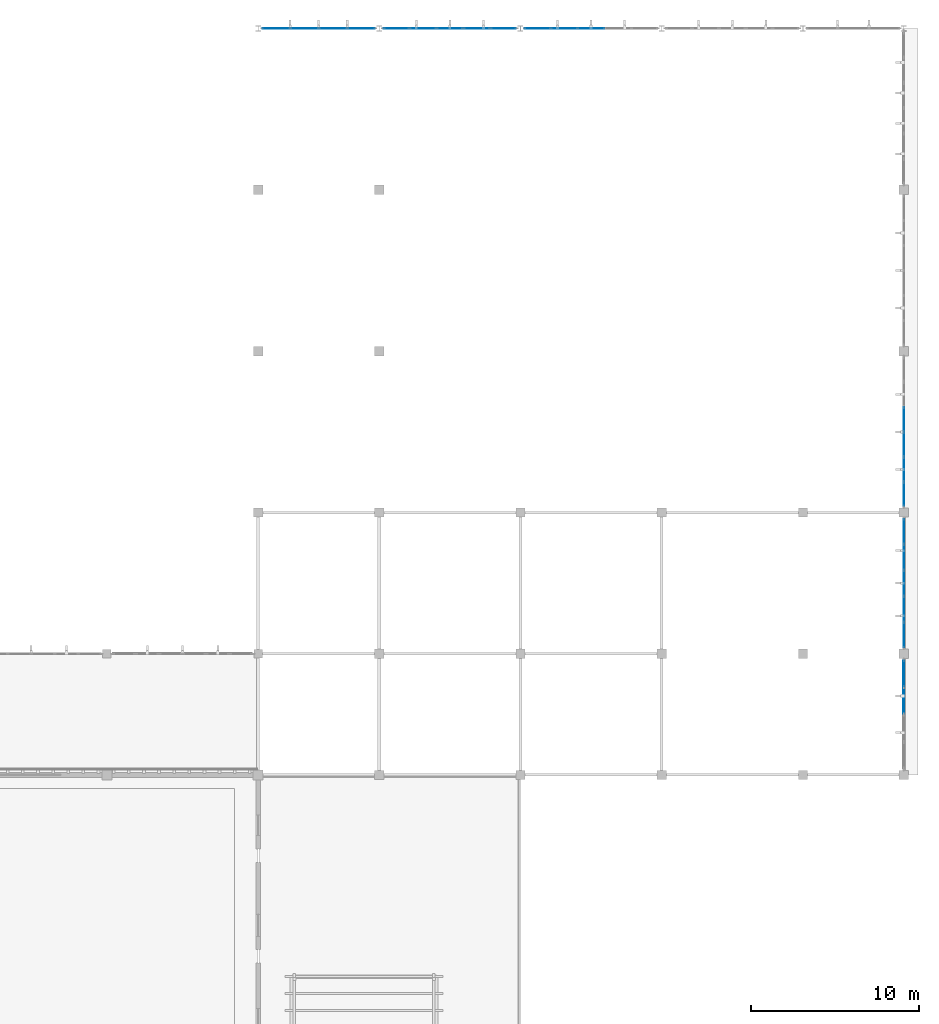
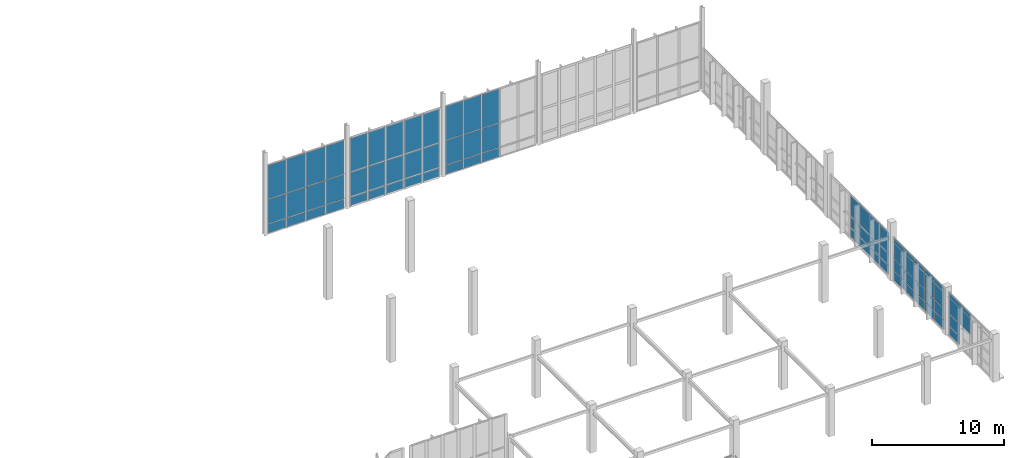
# One storey, part 39 of 67: 67 plates, 6 elements without a shape of their own.
"""IFC4 building model written with IfcOpenShell, lengths in metres."""

from ifc_helpers import new_model, si_unit, direction, frame, origin, origin_2d, place, context, subcontext, project, spatial, rectangle, extrude, material, layer, layer_set, type_object, element, aggregate, save


model = new_model("IFC4")

# Units and contexts
model_context = context("Model", 3, precision=1e-05, world=origin(), true_north=direction((0.0, 1.0)))
body_context = subcontext(model_context, "Body", "Model", "MODEL_VIEW")
ifc_project = project(units=[si_unit("LENGTHUNIT", "METRE"), si_unit("AREAUNIT", "SQUARE_METRE"), si_unit("VOLUMEUNIT", "CUBIC_METRE"), si_unit("PLANEANGLEUNIT", "RADIAN"), si_unit("MASSUNIT", "GRAM", prefix="KILO")], contexts=[model_context])

# Site, building, storey
site_placement = place(None, origin())
site = spatial("IfcSite", under=ifc_project, at=site_placement, CompositionType="ELEMENT")
building_placement = place(site_placement, origin())
building = spatial("IfcBuilding", under=site, at=building_placement, Name="Tizgana Railside Sports Hall", CompositionType="ELEMENT")
storey_placement = place(building_placement, frame((0.0, 0.0, 12.0)))
storey = spatial("IfcBuildingStorey", under=building, at=storey_placement, Name="L02", CompositionType="ELEMENT", Elevation=12.0)

# Curtain wall, plates
ifc_material_1 = material(Name="Anodised aluminium and glass", Category="aluminium")
curtain_wall_type_1 = type_object("IfcCurtainWallType", Name="Unitised Curtain Wall Foyer 1300", PredefinedType="NOTDEFINED", material=ifc_material_1)
curtain_wall_1_placement = place(storey_placement, origin())
curtain_wall_1 = element("IfcCurtainWall", 1, at=curtain_wall_1_placement, inside=storey, type_object=curtain_wall_type_1, Name="L02 Curtain Wall CW-0049", PredefinedType="NOTDEFINED")
ifc_material_2 = material(Name="Double low-E laminated glass", Category="glass")
ifc_layer_1 = layer(ifc_material_2, 0.033935546875, Name="Double low-E laminated glass")
ifc_layer_set_1 = layer_set([ifc_layer_1], Name="Double low-E laminated glass")
plate_type_1 = type_object("IfcPlateType", Name="Acoustic Laminated Glazing Panel 34", PredefinedType="CURTAIN_PANEL", material=ifc_layer_set_1)
plate_1_placement = place(storey_placement, frame((150.4189453125, 117.60009765625, 0.06005859375), z_axis=(0.0, 0.0, 1.0), x_axis=(1.0, 0.0, 0.0)))
plate_1 = element("IfcPlate", 2, at=plate_1_placement, type_object=plate_type_1, Name="CW-02 panel 1.1", PredefinedType="CURTAIN_PANEL", context=body_context, shape_type="SweptSolid", body=[
    extrude(rectangle(XDim=1.508056640625, YDim=0.033935546875, at=origin_2d()), origin(), (0.0, 0.0, 1.0), 0.81005859375),
])
plate_2_placement = place(storey_placement, frame((150.4189453125, 117.60009765625, 0.93017578125), z_axis=(0.0, 0.0, 1.0), x_axis=(1.0, 0.0, 0.0)))
plate_2 = element("IfcPlate", 3, at=plate_2_placement, type_object=plate_type_1, Name="CW-02 panel 1.2", PredefinedType="CURTAIN_PANEL", context=body_context, shape_type="SweptSolid", body=[
    extrude(rectangle(XDim=1.508056640625, YDim=0.033935546875, at=origin_2d()), origin(), (0.0, 0.0, 1.0), 2.239990234375),
])
plate_3_placement = place(storey_placement, frame((150.4189453125, 117.60009765625, 3.22998046875), z_axis=(0.0, 0.0, 1.0), x_axis=(1.0, 0.0, 0.0)))
plate_3 = element("IfcPlate", 4, at=plate_3_placement, type_object=plate_type_1, Name="CW-02 panel 1.3", PredefinedType="CURTAIN_PANEL", context=body_context, shape_type="SweptSolid", body=[
    extrude(rectangle(XDim=1.508056640625, YDim=0.033935546875, at=origin_2d()), origin(), (0.0, 0.0, 1.0), 3.110107421875),
])
plate_4_placement = place(storey_placement, frame((152.001953125, 117.60009765625, 0.06005859375), z_axis=(0.0, 0.0, 1.0), x_axis=(1.0, 0.0, 0.0)))
plate_4 = element("IfcPlate", 5, at=plate_4_placement, type_object=plate_type_1, Name="CW-02 panel 2.1", PredefinedType="CURTAIN_PANEL", context=body_context, shape_type="SweptSolid", body=[
    extrude(rectangle(XDim=1.5380859375, YDim=0.033935546875, at=origin_2d()), origin(), (0.0, 0.0, 1.0), 0.81005859375),
])
plate_5_placement = place(storey_placement, frame((152.001953125, 117.60009765625, 0.93017578125), z_axis=(0.0, 0.0, 1.0), x_axis=(1.0, 0.0, 0.0)))
plate_5 = element("IfcPlate", 6, at=plate_5_placement, type_object=plate_type_1, Name="CW-02 panel 2.2", PredefinedType="CURTAIN_PANEL", context=body_context, shape_type="SweptSolid", body=[
    extrude(rectangle(XDim=1.5380859375, YDim=0.033935546875, at=origin_2d()), origin(), (0.0, 0.0, 1.0), 2.239990234375),
])
plate_6_placement = place(storey_placement, frame((152.001953125, 117.60009765625, 3.22998046875), z_axis=(0.0, 0.0, 1.0), x_axis=(1.0, 0.0, 0.0)))
plate_6 = element("IfcPlate", 7, at=plate_6_placement, type_object=plate_type_1, Name="CW-02 panel 2.3", PredefinedType="CURTAIN_PANEL", context=body_context, shape_type="SweptSolid", body=[
    extrude(rectangle(XDim=1.5380859375, YDim=0.033935546875, at=origin_2d()), origin(), (0.0, 0.0, 1.0), 3.110107421875),
])
plate_7_placement = place(storey_placement, frame((153.60009765625, 117.60009765625, 0.06005859375), z_axis=(0.0, 0.0, 1.0), x_axis=(1.0, 0.0, 0.0)))
plate_7 = element("IfcPlate", 8, at=plate_7_placement, type_object=plate_type_1, Name="CW-02 panel 3.1", PredefinedType="CURTAIN_PANEL", context=body_context, shape_type="SweptSolid", body=[
    extrude(rectangle(XDim=1.5380859375, YDim=0.033935546875, at=origin_2d()), origin(), (0.0, 0.0, 1.0), 0.81005859375),
])
plate_8_placement = place(storey_placement, frame((153.60009765625, 117.60009765625, 0.93017578125), z_axis=(0.0, 0.0, 1.0), x_axis=(1.0, 0.0, 0.0)))
plate_8 = element("IfcPlate", 9, at=plate_8_placement, type_object=plate_type_1, Name="CW-02 panel 3.2", PredefinedType="CURTAIN_PANEL", context=body_context, shape_type="SweptSolid", body=[
    extrude(rectangle(XDim=1.5380859375, YDim=0.033935546875, at=origin_2d()), origin(), (0.0, 0.0, 1.0), 2.239990234375),
])
plate_9_placement = place(storey_placement, frame((153.60009765625, 117.60009765625, 3.22998046875), z_axis=(0.0, 0.0, 1.0), x_axis=(1.0, 0.0, 0.0)))
plate_9 = element("IfcPlate", 10, at=plate_9_placement, type_object=plate_type_1, Name="CW-02 panel 3.3", PredefinedType="CURTAIN_PANEL", context=body_context, shape_type="SweptSolid", body=[
    extrude(rectangle(XDim=1.5380859375, YDim=0.033935546875, at=origin_2d()), origin(), (0.0, 0.0, 1.0), 3.110107421875),
])
aggregate(curtain_wall_1, [plate_1, plate_2, plate_3, plate_4, plate_5, plate_6, plate_7, plate_8, plate_9])

curtain_wall_type_2 = type_object("IfcCurtainWallType", Name="Unitised Curtain Wall Passage 1800", PredefinedType="NOTDEFINED", material=ifc_material_1)
curtain_wall_2_placement = place(storey_placement, origin())
curtain_wall_2 = element("IfcCurtainWall", 11, at=curtain_wall_2_placement, inside=storey, type_object=curtain_wall_type_2, Name="L02 Curtain Wall CW-0061", PredefinedType="NOTDEFINED")
plate_10_placement = place(storey_placement, frame((172.199951171875, 81.51904296875, 0.06005859375), z_axis=(0.0, 0.0, 1.0), x_axis=(0.0, 1.0, 0.0)))
plate_10 = element("IfcPlate", 12, at=plate_10_placement, type_object=plate_type_1, Name="CW-06 panel 1.1", PredefinedType="CURTAIN_PANEL", context=body_context, shape_type="SweptSolid", body=[
    extrude(rectangle(XDim=1.4580078125, YDim=0.033935546875, at=origin_2d()), origin(), (0.0, 0.0, 1.0), 0.81005859375),
])
plate_11_placement = place(storey_placement, frame((172.199951171875, 81.51904296875, 0.929931640625), z_axis=(0.0, 0.0, 1.0), x_axis=(0.0, 1.0, 0.0)))
plate_11 = element("IfcPlate", 13, at=plate_11_placement, type_object=plate_type_1, Name="CW-06 panel 1.2", PredefinedType="CURTAIN_PANEL", context=body_context, shape_type="SweptSolid", body=[
    extrude(rectangle(XDim=1.4580078125, YDim=0.033935546875, at=origin_2d()), origin(), (0.0, 0.0, 1.0), 1.0400390625),
])
plate_12_placement = place(storey_placement, frame((172.199951171875, 81.51904296875, 2.0302734375), z_axis=(0.0, 0.0, 1.0), x_axis=(0.0, 1.0, 0.0)))
plate_12 = element("IfcPlate", 14, at=plate_12_placement, type_object=plate_type_1, Name="CW-06 panel 1.3", PredefinedType="CURTAIN_PANEL", context=body_context, shape_type="SweptSolid", body=[
    extrude(rectangle(XDim=1.4580078125, YDim=0.033935546875, at=origin_2d()), origin(), (0.0, 0.0, 1.0), 1.909912109375),
])
plate_13_placement = place(storey_placement, frame((172.199951171875, 83.052001953125, 0.06005859375), z_axis=(0.0, 0.0, 1.0), x_axis=(0.0, 1.0, 0.0)))
plate_13 = element("IfcPlate", 15, at=plate_13_placement, type_object=plate_type_1, Name="CW-06 panel 2.1", PredefinedType="CURTAIN_PANEL", context=body_context, shape_type="SweptSolid", body=[
    extrude(rectangle(XDim=1.488037109375, YDim=0.033935546875, at=origin_2d()), origin(), (0.0, 0.0, 1.0), 0.81005859375),
])
plate_14_placement = place(storey_placement, frame((172.199951171875, 83.052001953125, 0.929931640625), z_axis=(0.0, 0.0, 1.0), x_axis=(0.0, 1.0, 0.0)))
plate_14 = element("IfcPlate", 16, at=plate_14_placement, type_object=plate_type_1, Name="CW-06 panel 2.2", PredefinedType="CURTAIN_PANEL", context=body_context, shape_type="SweptSolid", body=[
    extrude(rectangle(XDim=1.488037109375, YDim=0.033935546875, at=origin_2d()), origin(), (0.0, 0.0, 1.0), 1.0400390625),
])
plate_15_placement = place(storey_placement, frame((172.199951171875, 83.052001953125, 2.0302734375), z_axis=(0.0, 0.0, 1.0), x_axis=(0.0, 1.0, 0.0)))
plate_15 = element("IfcPlate", 17, at=plate_15_placement, type_object=plate_type_1, Name="CW-06 panel 2.3", PredefinedType="CURTAIN_PANEL", context=body_context, shape_type="SweptSolid", body=[
    extrude(rectangle(XDim=1.488037109375, YDim=0.033935546875, at=origin_2d()), origin(), (0.0, 0.0, 1.0), 1.909912109375),
])
plate_16_placement = place(storey_placement, frame((172.199951171875, 84.60009765625, 0.06005859375), z_axis=(0.0, 0.0, 1.0), x_axis=(0.0, 1.0, 0.0)))
plate_16 = element("IfcPlate", 18, at=plate_16_placement, type_object=plate_type_1, Name="CW-06 panel 3.1", PredefinedType="CURTAIN_PANEL", context=body_context, shape_type="SweptSolid", body=[
    extrude(rectangle(XDim=1.488037109375, YDim=0.033935546875, at=origin_2d()), origin(), (0.0, 0.0, 1.0), 0.81005859375),
])
plate_17_placement = place(storey_placement, frame((172.199951171875, 84.60009765625, 0.929931640625), z_axis=(0.0, 0.0, 1.0), x_axis=(0.0, 1.0, 0.0)))
plate_17 = element("IfcPlate", 19, at=plate_17_placement, type_object=plate_type_1, Name="CW-06 panel 3.2", PredefinedType="CURTAIN_PANEL", context=body_context, shape_type="SweptSolid", body=[
    extrude(rectangle(XDim=1.488037109375, YDim=0.033935546875, at=origin_2d()), origin(), (0.0, 0.0, 1.0), 1.0400390625),
])
plate_18_placement = place(storey_placement, frame((172.199951171875, 84.60009765625, 2.0302734375), z_axis=(0.0, 0.0, 1.0), x_axis=(0.0, 1.0, 0.0)))
plate_18 = element("IfcPlate", 20, at=plate_18_placement, type_object=plate_type_1, Name="CW-06 panel 3.3", PredefinedType="CURTAIN_PANEL", context=body_context, shape_type="SweptSolid", body=[
    extrude(rectangle(XDim=1.488037109375, YDim=0.033935546875, at=origin_2d()), origin(), (0.0, 0.0, 1.0), 1.909912109375),
])
plate_19_placement = place(storey_placement, frame((172.199951171875, 86.14794921875, 0.06005859375), z_axis=(0.0, 0.0, 1.0), x_axis=(0.0, 1.0, 0.0)))
plate_19 = element("IfcPlate", 21, at=plate_19_placement, type_object=plate_type_1, Name="CW-06 panel 4.1", PredefinedType="CURTAIN_PANEL", context=body_context, shape_type="SweptSolid", body=[
    extrude(rectangle(XDim=1.488037109375, YDim=0.033935546875, at=origin_2d()), origin(), (0.0, 0.0, 1.0), 0.81005859375),
])
plate_20_placement = place(storey_placement, frame((172.199951171875, 86.14794921875, 0.929931640625), z_axis=(0.0, 0.0, 1.0), x_axis=(0.0, 1.0, 0.0)))
plate_20 = element("IfcPlate", 22, at=plate_20_placement, type_object=plate_type_1, Name="CW-06 panel 4.2", PredefinedType="CURTAIN_PANEL", context=body_context, shape_type="SweptSolid", body=[
    extrude(rectangle(XDim=1.488037109375, YDim=0.033935546875, at=origin_2d()), origin(), (0.0, 0.0, 1.0), 1.0400390625),
])
plate_21_placement = place(storey_placement, frame((172.199951171875, 86.14794921875, 2.0302734375), z_axis=(0.0, 0.0, 1.0), x_axis=(0.0, 1.0, 0.0)))
plate_21 = element("IfcPlate", 23, at=plate_21_placement, type_object=plate_type_1, Name="CW-06 panel 4.3", PredefinedType="CURTAIN_PANEL", context=body_context, shape_type="SweptSolid", body=[
    extrude(rectangle(XDim=1.488037109375, YDim=0.033935546875, at=origin_2d()), origin(), (0.0, 0.0, 1.0), 1.909912109375),
])
plate_22_placement = place(storey_placement, frame((172.199951171875, 87.680908203125, 0.06005859375), z_axis=(0.0, 0.0, 1.0), x_axis=(0.0, 1.0, 0.0)))
plate_22 = element("IfcPlate", 24, at=plate_22_placement, type_object=plate_type_1, Name="CW-06 panel 5.1", PredefinedType="CURTAIN_PANEL", context=body_context, shape_type="SweptSolid", body=[
    extrude(rectangle(XDim=1.4580078125, YDim=0.033935546875, at=origin_2d()), origin(), (0.0, 0.0, 1.0), 0.81005859375),
])
plate_23_placement = place(storey_placement, frame((172.199951171875, 87.680908203125, 0.929931640625), z_axis=(0.0, 0.0, 1.0), x_axis=(0.0, 1.0, 0.0)))
plate_23 = element("IfcPlate", 25, at=plate_23_placement, type_object=plate_type_1, Name="CW-06 panel 5.2", PredefinedType="CURTAIN_PANEL", context=body_context, shape_type="SweptSolid", body=[
    extrude(rectangle(XDim=1.4580078125, YDim=0.033935546875, at=origin_2d()), origin(), (0.0, 0.0, 1.0), 1.0400390625),
])
plate_24_placement = place(storey_placement, frame((172.199951171875, 87.680908203125, 2.0302734375), z_axis=(0.0, 0.0, 1.0), x_axis=(0.0, 1.0, 0.0)))
plate_24 = element("IfcPlate", 26, at=plate_24_placement, type_object=plate_type_1, Name="CW-06 panel 5.3", PredefinedType="CURTAIN_PANEL", context=body_context, shape_type="SweptSolid", body=[
    extrude(rectangle(XDim=1.4580078125, YDim=0.033935546875, at=origin_2d()), origin(), (0.0, 0.0, 1.0), 1.909912109375),
])
aggregate(curtain_wall_2, [plate_10, plate_11, plate_12, plate_13, plate_14, plate_15, plate_16, plate_17, plate_18, plate_19, plate_20, plate_21, plate_22, plate_23, plate_24])

curtain_wall_type_3 = type_object("IfcCurtainWallType", Name="Unitised Curtain Wall WestHall 1560", PredefinedType="NOTDEFINED", material=ifc_material_1)
curtain_wall_3_placement = place(storey_placement, origin())
curtain_wall_3 = element("IfcCurtainWall", 27, at=curtain_wall_3_placement, inside=storey, type_object=curtain_wall_type_3, Name="L02 Curtain Wall CW-0046", PredefinedType="NOTDEFINED")
ifc_layer_2 = layer(ifc_material_2, 0.0400390625, Name="Double low-E laminated glass")
ifc_layer_set_2 = layer_set([ifc_layer_2], Name="Double low-E laminated glass")
plate_type_2 = type_object("IfcPlateType", Name="High-Span Tempered Glazing Panel 40", PredefinedType="CURTAIN_PANEL", material=ifc_layer_set_2)
plate_25_placement = place(storey_placement, frame((142.021484375, 117.60009765625, 0.070068359375), z_axis=(0.0, 0.0, 1.0), x_axis=(1.0, 0.0, 0.0)))
plate_25 = element("IfcPlate", 28, at=plate_25_placement, type_object=plate_type_2, Name="CW-07 panel 1.1", PredefinedType="CURTAIN_PANEL", context=body_context, shape_type="SweptSolid", body=[
    extrude(rectangle(XDim=1.492919921875, YDim=0.0400390625, at=origin_2d()), origin(), (0.0, 0.0, 1.0), 0.794921875),
])
plate_26_placement = place(storey_placement, frame((142.021484375, 117.60009765625, 0.93505859375), z_axis=(0.0, 0.0, 1.0), x_axis=(1.0, 0.0, 0.0)))
plate_26 = element("IfcPlate", 29, at=plate_26_placement, type_object=plate_type_2, Name="CW-07 panel 1.2", PredefinedType="CURTAIN_PANEL", context=body_context, shape_type="SweptSolid", body=[
    extrude(rectangle(XDim=1.492919921875, YDim=0.0400390625, at=origin_2d()), origin(), (0.0, 0.0, 1.0), 2.22998046875),
])
plate_27_placement = place(storey_placement, frame((142.021484375, 117.60009765625, 3.23486328125), z_axis=(0.0, 0.0, 1.0), x_axis=(1.0, 0.0, 0.0)))
plate_27 = element("IfcPlate", 30, at=plate_27_placement, type_object=plate_type_2, Name="CW-07 panel 1.3", PredefinedType="CURTAIN_PANEL", context=body_context, shape_type="SweptSolid", body=[
    extrude(rectangle(XDim=1.492919921875, YDim=0.0400390625, at=origin_2d()), origin(), (0.0, 0.0, 1.0), 3.094970703125),
])
plate_28_placement = place(storey_placement, frame((143.60205078125, 117.60009765625, 0.070068359375), z_axis=(0.0, 0.0, 1.0), x_axis=(1.0, 0.0, 0.0)))
plate_28 = element("IfcPlate", 31, at=plate_28_placement, type_object=plate_type_2, Name="CW-07 panel 2.1", PredefinedType="CURTAIN_PANEL", context=body_context, shape_type="SweptSolid", body=[
    extrude(rectangle(XDim=1.528076171875, YDim=0.0400390625, at=origin_2d()), origin(), (0.0, 0.0, 1.0), 0.794921875),
])
plate_29_placement = place(storey_placement, frame((143.60205078125, 117.60009765625, 0.93505859375), z_axis=(0.0, 0.0, 1.0), x_axis=(1.0, 0.0, 0.0)))
plate_29 = element("IfcPlate", 32, at=plate_29_placement, type_object=plate_type_2, Name="CW-07 panel 2.2", PredefinedType="CURTAIN_PANEL", context=body_context, shape_type="SweptSolid", body=[
    extrude(rectangle(XDim=1.528076171875, YDim=0.0400390625, at=origin_2d()), origin(), (0.0, 0.0, 1.0), 2.22998046875),
])
plate_30_placement = place(storey_placement, frame((143.60205078125, 117.60009765625, 3.23486328125), z_axis=(0.0, 0.0, 1.0), x_axis=(1.0, 0.0, 0.0)))
plate_30 = element("IfcPlate", 33, at=plate_30_placement, type_object=plate_type_2, Name="CW-07 panel 2.3", PredefinedType="CURTAIN_PANEL", context=body_context, shape_type="SweptSolid", body=[
    extrude(rectangle(XDim=1.528076171875, YDim=0.0400390625, at=origin_2d()), origin(), (0.0, 0.0, 1.0), 3.094970703125),
])
plate_31_placement = place(storey_placement, frame((145.199951171875, 117.60009765625, 0.070068359375), z_axis=(0.0, 0.0, 1.0), x_axis=(1.0, 0.0, 0.0)))
plate_31 = element("IfcPlate", 34, at=plate_31_placement, type_object=plate_type_2, Name="CW-07 panel 3.1", PredefinedType="CURTAIN_PANEL", context=body_context, shape_type="SweptSolid", body=[
    extrude(rectangle(XDim=1.528076171875, YDim=0.0400390625, at=origin_2d()), origin(), (0.0, 0.0, 1.0), 0.794921875),
])
plate_32_placement = place(storey_placement, frame((145.199951171875, 117.60009765625, 0.93505859375), z_axis=(0.0, 0.0, 1.0), x_axis=(1.0, 0.0, 0.0)))
plate_32 = element("IfcPlate", 35, at=plate_32_placement, type_object=plate_type_2, Name="CW-07 panel 3.2", PredefinedType="CURTAIN_PANEL", context=body_context, shape_type="SweptSolid", body=[
    extrude(rectangle(XDim=1.528076171875, YDim=0.0400390625, at=origin_2d()), origin(), (0.0, 0.0, 1.0), 2.22998046875),
])
plate_33_placement = place(storey_placement, frame((145.199951171875, 117.60009765625, 3.23486328125), z_axis=(0.0, 0.0, 1.0), x_axis=(1.0, 0.0, 0.0)))
plate_33 = element("IfcPlate", 36, at=plate_33_placement, type_object=plate_type_2, Name="CW-07 panel 3.3", PredefinedType="CURTAIN_PANEL", context=body_context, shape_type="SweptSolid", body=[
    extrude(rectangle(XDim=1.528076171875, YDim=0.0400390625, at=origin_2d()), origin(), (0.0, 0.0, 1.0), 3.094970703125),
])
plate_34_placement = place(storey_placement, frame((146.798095703125, 117.60009765625, 0.070068359375), z_axis=(0.0, 0.0, 1.0), x_axis=(1.0, 0.0, 0.0)))
plate_34 = element("IfcPlate", 37, at=plate_34_placement, type_object=plate_type_2, Name="CW-07 panel 4.1", PredefinedType="CURTAIN_PANEL", context=body_context, shape_type="SweptSolid", body=[
    extrude(rectangle(XDim=1.528076171875, YDim=0.0400390625, at=origin_2d()), origin(), (0.0, 0.0, 1.0), 0.794921875),
])
plate_35_placement = place(storey_placement, frame((146.798095703125, 117.60009765625, 0.93505859375), z_axis=(0.0, 0.0, 1.0), x_axis=(1.0, 0.0, 0.0)))
plate_35 = element("IfcPlate", 38, at=plate_35_placement, type_object=plate_type_2, Name="CW-07 panel 4.2", PredefinedType="CURTAIN_PANEL", context=body_context, shape_type="SweptSolid", body=[
    extrude(rectangle(XDim=1.528076171875, YDim=0.0400390625, at=origin_2d()), origin(), (0.0, 0.0, 1.0), 2.22998046875),
])
plate_36_placement = place(storey_placement, frame((146.798095703125, 117.60009765625, 3.23486328125), z_axis=(0.0, 0.0, 1.0), x_axis=(1.0, 0.0, 0.0)))
plate_36 = element("IfcPlate", 39, at=plate_36_placement, type_object=plate_type_2, Name="CW-07 panel 4.3", PredefinedType="CURTAIN_PANEL", context=body_context, shape_type="SweptSolid", body=[
    extrude(rectangle(XDim=1.528076171875, YDim=0.0400390625, at=origin_2d()), origin(), (0.0, 0.0, 1.0), 3.094970703125),
])
plate_37_placement = place(storey_placement, frame((148.37841796875, 117.60009765625, 0.070068359375), z_axis=(0.0, 0.0, 1.0), x_axis=(1.0, 0.0, 0.0)))
plate_37 = element("IfcPlate", 40, at=plate_37_placement, type_object=plate_type_2, Name="CW-07 panel 5.1", PredefinedType="CURTAIN_PANEL", context=body_context, shape_type="SweptSolid", body=[
    extrude(rectangle(XDim=1.492919921875, YDim=0.0400390625, at=origin_2d()), origin(), (0.0, 0.0, 1.0), 0.794921875),
])
plate_38_placement = place(storey_placement, frame((148.37841796875, 117.60009765625, 0.93505859375), z_axis=(0.0, 0.0, 1.0), x_axis=(1.0, 0.0, 0.0)))
plate_38 = element("IfcPlate", 41, at=plate_38_placement, type_object=plate_type_2, Name="CW-07 panel 5.2", PredefinedType="CURTAIN_PANEL", context=body_context, shape_type="SweptSolid", body=[
    extrude(rectangle(XDim=1.492919921875, YDim=0.0400390625, at=origin_2d()), origin(), (0.0, 0.0, 1.0), 2.22998046875),
])
plate_39_placement = place(storey_placement, frame((148.37841796875, 117.60009765625, 3.23486328125), z_axis=(0.0, 0.0, 1.0), x_axis=(1.0, 0.0, 0.0)))
plate_39 = element("IfcPlate", 42, at=plate_39_placement, type_object=plate_type_2, Name="CW-07 panel 5.3", PredefinedType="CURTAIN_PANEL", context=body_context, shape_type="SweptSolid", body=[
    extrude(rectangle(XDim=1.492919921875, YDim=0.0400390625, at=origin_2d()), origin(), (0.0, 0.0, 1.0), 3.094970703125),
])
aggregate(curtain_wall_3, [plate_25, plate_26, plate_27, plate_28, plate_29, plate_30, plate_31, plate_32, plate_33, plate_34, plate_35, plate_36, plate_37, plate_38, plate_39])

curtain_wall_type_4 = type_object("IfcCurtainWallType", Name="Unitised Curtain Wall Studio 1400", PredefinedType="NOTDEFINED", material=ifc_material_1)
curtain_wall_4_placement = place(storey_placement, origin())
curtain_wall_4 = element("IfcCurtainWall", 43, at=curtain_wall_4_placement, inside=storey, type_object=curtain_wall_type_4, Name="L02 Curtain Wall CW-0058", PredefinedType="NOTDEFINED")
plate_40_placement = place(storey_placement, frame((172.199951171875, 77.617431640625, 2.034912109375), z_axis=(0.0, 0.0, 1.0), x_axis=(0.0, 1.0, 0.0)))
plate_40 = element("IfcPlate", 44, at=plate_40_placement, type_object=plate_type_2, Name="CW-03 panel 3.3", PredefinedType="CURTAIN_PANEL", context=body_context, shape_type="SweptSolid", body=[
    extrude(rectangle(XDim=1.56494140625, YDim=0.0400390625, at=origin_2d()), origin(), (0.0, 0.0, 1.0), 1.89501953125),
])
plate_41_placement = place(storey_placement, frame((172.199951171875, 79.235107421875, 0.070068359375), z_axis=(0.0, 0.0, 1.0), x_axis=(0.0, 1.0, 0.0)))
plate_41 = element("IfcPlate", 45, at=plate_41_placement, type_object=plate_type_2, Name="CW-03 panel 4.1", PredefinedType="CURTAIN_PANEL", context=body_context, shape_type="SweptSolid", body=[
    extrude(rectangle(XDim=1.530029296875, YDim=0.0400390625, at=origin_2d()), origin(), (0.0, 0.0, 1.0), 0.794921875),
])
plate_42_placement = place(storey_placement, frame((172.199951171875, 79.235107421875, 0.93505859375), z_axis=(0.0, 0.0, 1.0), x_axis=(0.0, 1.0, 0.0)))
plate_42 = element("IfcPlate", 46, at=plate_42_placement, type_object=plate_type_2, Name="CW-03 panel 4.2", PredefinedType="CURTAIN_PANEL", context=body_context, shape_type="SweptSolid", body=[
    extrude(rectangle(XDim=1.530029296875, YDim=0.0400390625, at=origin_2d()), origin(), (0.0, 0.0, 1.0), 1.030029296875),
])
plate_43_placement = place(storey_placement, frame((172.199951171875, 79.235107421875, 2.034912109375), z_axis=(0.0, 0.0, 1.0), x_axis=(0.0, 1.0, 0.0)))
plate_43 = element("IfcPlate", 47, at=plate_43_placement, type_object=plate_type_2, Name="CW-03 panel 4.3", PredefinedType="CURTAIN_PANEL", context=body_context, shape_type="SweptSolid", body=[
    extrude(rectangle(XDim=1.530029296875, YDim=0.0400390625, at=origin_2d()), origin(), (0.0, 0.0, 1.0), 1.89501953125),
])
aggregate(curtain_wall_4, [plate_40, plate_41, plate_42, plate_43])

curtain_wall_type_5 = type_object("IfcCurtainWallType", Name="Unitised Curtain Wall Climbing 1600", PredefinedType="NOTDEFINED", material=ifc_material_1)
curtain_wall_5_placement = place(storey_placement, origin())
curtain_wall_5 = element("IfcCurtainWall", 48, at=curtain_wall_5_placement, inside=storey, type_object=curtain_wall_type_5, Name="L02 Curtain Wall CW-0043", PredefinedType="NOTDEFINED")
ifc_layer_3 = layer(ifc_material_2, 0.031982421875, Name="Double low-E laminated glass")
ifc_layer_set_3 = layer_set([ifc_layer_3], Name="Double low-E laminated glass")
plate_type_3 = type_object("IfcPlateType", Name="North-Light Clerestory Glazing Panel 32", PredefinedType="CURTAIN_PANEL", material=ifc_layer_set_3)
plate_44_placement = place(storey_placement, frame((134.86865234375, 117.60009765625, 0.06005859375), z_axis=(0.0, 0.0, 1.0), x_axis=(1.0, 0.0, 0.0)))
plate_44 = element("IfcPlate", 49, at=plate_44_placement, type_object=plate_type_3, Name="CW-04 panel 1.1", PredefinedType="CURTAIN_PANEL", context=body_context, shape_type="SweptSolid", body=[
    extrude(rectangle(XDim=1.607421875, YDim=0.031982421875, at=origin_2d()), origin(), (0.0, 0.0, 1.0), 0.81005859375),
])
plate_45_placement = place(storey_placement, frame((134.86865234375, 117.60009765625, 0.93017578125), z_axis=(0.0, 0.0, 1.0), x_axis=(1.0, 0.0, 0.0)))
plate_45 = element("IfcPlate", 50, at=plate_45_placement, type_object=plate_type_3, Name="CW-04 panel 1.2", PredefinedType="CURTAIN_PANEL", context=body_context, shape_type="SweptSolid", body=[
    extrude(rectangle(XDim=1.607421875, YDim=0.031982421875, at=origin_2d()), origin(), (0.0, 0.0, 1.0), 2.239990234375),
])
plate_46_placement = place(storey_placement, frame((134.86865234375, 117.60009765625, 3.22998046875), z_axis=(0.0, 0.0, 1.0), x_axis=(1.0, 0.0, 0.0)))
plate_46 = element("IfcPlate", 51, at=plate_46_placement, type_object=plate_type_3, Name="CW-04 panel 1.3", PredefinedType="CURTAIN_PANEL", context=body_context, shape_type="SweptSolid", body=[
    extrude(rectangle(XDim=1.607421875, YDim=0.031982421875, at=origin_2d()), origin(), (0.0, 0.0, 1.0), 3.110107421875),
])
plate_47_placement = place(storey_placement, frame((136.55126953125, 117.60009765625, 0.06005859375), z_axis=(0.0, 0.0, 1.0), x_axis=(1.0, 0.0, 0.0)))
plate_47 = element("IfcPlate", 52, at=plate_47_placement, type_object=plate_type_3, Name="CW-04 panel 2.1", PredefinedType="CURTAIN_PANEL", context=body_context, shape_type="SweptSolid", body=[
    extrude(rectangle(XDim=1.637451171875, YDim=0.031982421875, at=origin_2d()), origin(), (0.0, 0.0, 1.0), 0.81005859375),
])
plate_48_placement = place(storey_placement, frame((136.55126953125, 117.60009765625, 0.93017578125), z_axis=(0.0, 0.0, 1.0), x_axis=(1.0, 0.0, 0.0)))
plate_48 = element("IfcPlate", 53, at=plate_48_placement, type_object=plate_type_3, Name="CW-04 panel 2.2", PredefinedType="CURTAIN_PANEL", context=body_context, shape_type="SweptSolid", body=[
    extrude(rectangle(XDim=1.637451171875, YDim=0.031982421875, at=origin_2d()), origin(), (0.0, 0.0, 1.0), 2.239990234375),
])
plate_49_placement = place(storey_placement, frame((136.55126953125, 117.60009765625, 3.22998046875), z_axis=(0.0, 0.0, 1.0), x_axis=(1.0, 0.0, 0.0)))
plate_49 = element("IfcPlate", 54, at=plate_49_placement, type_object=plate_type_3, Name="CW-04 panel 2.3", PredefinedType="CURTAIN_PANEL", context=body_context, shape_type="SweptSolid", body=[
    extrude(rectangle(XDim=1.637451171875, YDim=0.031982421875, at=origin_2d()), origin(), (0.0, 0.0, 1.0), 3.110107421875),
])
plate_50_placement = place(storey_placement, frame((138.248779296875, 117.60009765625, 0.06005859375), z_axis=(0.0, 0.0, 1.0), x_axis=(1.0, 0.0, 0.0)))
plate_50 = element("IfcPlate", 55, at=plate_50_placement, type_object=plate_type_3, Name="CW-04 panel 3.1", PredefinedType="CURTAIN_PANEL", context=body_context, shape_type="SweptSolid", body=[
    extrude(rectangle(XDim=1.637451171875, YDim=0.031982421875, at=origin_2d()), origin(), (0.0, 0.0, 1.0), 0.81005859375),
])
plate_51_placement = place(storey_placement, frame((138.248779296875, 117.60009765625, 0.93017578125), z_axis=(0.0, 0.0, 1.0), x_axis=(1.0, 0.0, 0.0)))
plate_51 = element("IfcPlate", 56, at=plate_51_placement, type_object=plate_type_3, Name="CW-04 panel 3.2", PredefinedType="CURTAIN_PANEL", context=body_context, shape_type="SweptSolid", body=[
    extrude(rectangle(XDim=1.637451171875, YDim=0.031982421875, at=origin_2d()), origin(), (0.0, 0.0, 1.0), 2.239990234375),
])
plate_52_placement = place(storey_placement, frame((138.248779296875, 117.60009765625, 3.22998046875), z_axis=(0.0, 0.0, 1.0), x_axis=(1.0, 0.0, 0.0)))
plate_52 = element("IfcPlate", 57, at=plate_52_placement, type_object=plate_type_3, Name="CW-04 panel 3.3", PredefinedType="CURTAIN_PANEL", context=body_context, shape_type="SweptSolid", body=[
    extrude(rectangle(XDim=1.637451171875, YDim=0.031982421875, at=origin_2d()), origin(), (0.0, 0.0, 1.0), 3.110107421875),
])
plate_53_placement = place(storey_placement, frame((139.93115234375, 117.60009765625, 0.06005859375), z_axis=(0.0, 0.0, 1.0), x_axis=(1.0, 0.0, 0.0)))
plate_53 = element("IfcPlate", 58, at=plate_53_placement, type_object=plate_type_3, Name="CW-04 panel 4.1", PredefinedType="CURTAIN_PANEL", context=body_context, shape_type="SweptSolid", body=[
    extrude(rectangle(XDim=1.607421875, YDim=0.031982421875, at=origin_2d()), origin(), (0.0, 0.0, 1.0), 0.81005859375),
])
plate_54_placement = place(storey_placement, frame((139.93115234375, 117.60009765625, 0.93017578125), z_axis=(0.0, 0.0, 1.0), x_axis=(1.0, 0.0, 0.0)))
plate_54 = element("IfcPlate", 59, at=plate_54_placement, type_object=plate_type_3, Name="CW-04 panel 4.2", PredefinedType="CURTAIN_PANEL", context=body_context, shape_type="SweptSolid", body=[
    extrude(rectangle(XDim=1.607421875, YDim=0.031982421875, at=origin_2d()), origin(), (0.0, 0.0, 1.0), 2.239990234375),
])
plate_55_placement = place(storey_placement, frame((139.93115234375, 117.60009765625, 3.22998046875), z_axis=(0.0, 0.0, 1.0), x_axis=(1.0, 0.0, 0.0)))
plate_55 = element("IfcPlate", 60, at=plate_55_placement, type_object=plate_type_3, Name="CW-04 panel 4.3", PredefinedType="CURTAIN_PANEL", context=body_context, shape_type="SweptSolid", body=[
    extrude(rectangle(XDim=1.607421875, YDim=0.031982421875, at=origin_2d()), origin(), (0.0, 0.0, 1.0), 3.110107421875),
])
aggregate(curtain_wall_5, [plate_44, plate_45, plate_46, plate_47, plate_48, plate_49, plate_50, plate_51, plate_52, plate_53, plate_54, plate_55])

curtain_wall_type_6 = type_object("IfcCurtainWallType", Name="Unitised Curtain Wall Concourse 1500", PredefinedType="NOTDEFINED", material=ifc_material_1)
curtain_wall_6_placement = place(storey_placement, origin())
curtain_wall_6 = element("IfcCurtainWall", 61, at=curtain_wall_6_placement, inside=storey, type_object=curtain_wall_type_6, Name="L02 Curtain Wall CW-0064", PredefinedType="NOTDEFINED")
ifc_layer_4 = layer(ifc_material_2, 0.028076171875, Name="Double low-E laminated glass")
ifc_layer_set_4 = layer_set([ifc_layer_4], Name="Double low-E laminated glass")
plate_type_4 = type_object("IfcPlateType", Name="Solar Low-E Glazing Panel 28", PredefinedType="CURTAIN_PANEL", material=ifc_layer_set_4)
plate_56_placement = place(storey_placement, frame((172.199951171875, 89.892578125, 0.070068359375), z_axis=(0.0, 0.0, 1.0), x_axis=(0.0, 1.0, 0.0)))
plate_56 = element("IfcPlate", 62, at=plate_56_placement, type_object=plate_type_4, Name="CW-01 panel 1.1", PredefinedType="CURTAIN_PANEL", context=body_context, shape_type="SweptSolid", body=[
    extrude(rectangle(XDim=1.385009765625, YDim=0.028076171875, at=origin_2d()), origin(), (0.0, 0.0, 1.0), 0.794921875),
])
plate_57_placement = place(storey_placement, frame((172.199951171875, 89.892578125, 0.93505859375), z_axis=(0.0, 0.0, 1.0), x_axis=(0.0, 1.0, 0.0)))
plate_57 = element("IfcPlate", 63, at=plate_57_placement, type_object=plate_type_4, Name="CW-01 panel 1.2", PredefinedType="CURTAIN_PANEL", context=body_context, shape_type="SweptSolid", body=[
    extrude(rectangle(XDim=1.385009765625, YDim=0.028076171875, at=origin_2d()), origin(), (0.0, 0.0, 1.0), 1.030029296875),
])
plate_58_placement = place(storey_placement, frame((172.199951171875, 89.892578125, 2.034912109375), z_axis=(0.0, 0.0, 1.0), x_axis=(0.0, 1.0, 0.0)))
plate_58 = element("IfcPlate", 64, at=plate_58_placement, type_object=plate_type_4, Name="CW-01 panel 1.3", PredefinedType="CURTAIN_PANEL", context=body_context, shape_type="SweptSolid", body=[
    extrude(rectangle(XDim=1.385009765625, YDim=0.028076171875, at=origin_2d()), origin(), (0.0, 0.0, 1.0), 1.89501953125),
])
plate_59_placement = place(storey_placement, frame((172.199951171875, 91.364990234375, 0.070068359375), z_axis=(0.0, 0.0, 1.0), x_axis=(0.0, 1.0, 0.0)))
plate_59 = element("IfcPlate", 65, at=plate_59_placement, type_object=plate_type_4, Name="CW-01 panel 2.1", PredefinedType="CURTAIN_PANEL", context=body_context, shape_type="SweptSolid", body=[
    extrude(rectangle(XDim=1.419921875, YDim=0.028076171875, at=origin_2d()), origin(), (0.0, 0.0, 1.0), 0.794921875),
])
plate_60_placement = place(storey_placement, frame((172.199951171875, 91.364990234375, 0.93505859375), z_axis=(0.0, 0.0, 1.0), x_axis=(0.0, 1.0, 0.0)))
plate_60 = element("IfcPlate", 66, at=plate_60_placement, type_object=plate_type_4, Name="CW-01 panel 2.2", PredefinedType="CURTAIN_PANEL", context=body_context, shape_type="SweptSolid", body=[
    extrude(rectangle(XDim=1.419921875, YDim=0.028076171875, at=origin_2d()), origin(), (0.0, 0.0, 1.0), 1.030029296875),
])
plate_61_placement = place(storey_placement, frame((172.199951171875, 91.364990234375, 2.034912109375), z_axis=(0.0, 0.0, 1.0), x_axis=(0.0, 1.0, 0.0)))
plate_61 = element("IfcPlate", 67, at=plate_61_placement, type_object=plate_type_4, Name="CW-01 panel 2.3", PredefinedType="CURTAIN_PANEL", context=body_context, shape_type="SweptSolid", body=[
    extrude(rectangle(XDim=1.419921875, YDim=0.028076171875, at=origin_2d()), origin(), (0.0, 0.0, 1.0), 1.89501953125),
])
plate_62_placement = place(storey_placement, frame((172.199951171875, 92.85498046875, 0.070068359375), z_axis=(0.0, 0.0, 1.0), x_axis=(0.0, 1.0, 0.0)))
plate_62 = element("IfcPlate", 68, at=plate_62_placement, type_object=plate_type_4, Name="CW-01 panel 3.1", PredefinedType="CURTAIN_PANEL", context=body_context, shape_type="SweptSolid", body=[
    extrude(rectangle(XDim=1.419921875, YDim=0.028076171875, at=origin_2d()), origin(), (0.0, 0.0, 1.0), 0.794921875),
])
plate_63_placement = place(storey_placement, frame((172.199951171875, 92.85498046875, 0.93505859375), z_axis=(0.0, 0.0, 1.0), x_axis=(0.0, 1.0, 0.0)))
plate_63 = element("IfcPlate", 69, at=plate_63_placement, type_object=plate_type_4, Name="CW-01 panel 3.2", PredefinedType="CURTAIN_PANEL", context=body_context, shape_type="SweptSolid", body=[
    extrude(rectangle(XDim=1.419921875, YDim=0.028076171875, at=origin_2d()), origin(), (0.0, 0.0, 1.0), 1.030029296875),
])
plate_64_placement = place(storey_placement, frame((172.199951171875, 92.85498046875, 2.034912109375), z_axis=(0.0, 0.0, 1.0), x_axis=(0.0, 1.0, 0.0)))
plate_64 = element("IfcPlate", 70, at=plate_64_placement, type_object=plate_type_4, Name="CW-01 panel 3.3", PredefinedType="CURTAIN_PANEL", context=body_context, shape_type="SweptSolid", body=[
    extrude(rectangle(XDim=1.419921875, YDim=0.028076171875, at=origin_2d()), origin(), (0.0, 0.0, 1.0), 1.89501953125),
])
plate_65_placement = place(storey_placement, frame((172.199951171875, 94.344970703125, 0.070068359375), z_axis=(0.0, 0.0, 1.0), x_axis=(0.0, 1.0, 0.0)))
plate_65 = element("IfcPlate", 71, at=plate_65_placement, type_object=plate_type_4, Name="CW-01 panel 4.1", PredefinedType="CURTAIN_PANEL", context=body_context, shape_type="SweptSolid", body=[
    extrude(rectangle(XDim=1.419921875, YDim=0.028076171875, at=origin_2d()), origin(), (0.0, 0.0, 1.0), 0.794921875),
])
plate_66_placement = place(storey_placement, frame((172.199951171875, 94.344970703125, 0.93505859375), z_axis=(0.0, 0.0, 1.0), x_axis=(0.0, 1.0, 0.0)))
plate_66 = element("IfcPlate", 72, at=plate_66_placement, type_object=plate_type_4, Name="CW-01 panel 4.2", PredefinedType="CURTAIN_PANEL", context=body_context, shape_type="SweptSolid", body=[
    extrude(rectangle(XDim=1.419921875, YDim=0.028076171875, at=origin_2d()), origin(), (0.0, 0.0, 1.0), 1.030029296875),
])
plate_67_placement = place(storey_placement, frame((172.199951171875, 94.344970703125, 2.034912109375), z_axis=(0.0, 0.0, 1.0), x_axis=(0.0, 1.0, 0.0)))
plate_67 = element("IfcPlate", 73, at=plate_67_placement, type_object=plate_type_4, Name="CW-01 panel 4.3", PredefinedType="CURTAIN_PANEL", context=body_context, shape_type="SweptSolid", body=[
    extrude(rectangle(XDim=1.419921875, YDim=0.028076171875, at=origin_2d()), origin(), (0.0, 0.0, 1.0), 1.89501953125),
])
aggregate(curtain_wall_6, [plate_56, plate_57, plate_58, plate_59, plate_60, plate_61, plate_62, plate_63, plate_64, plate_65, plate_66, plate_67])

save(model, "model.ifc")
